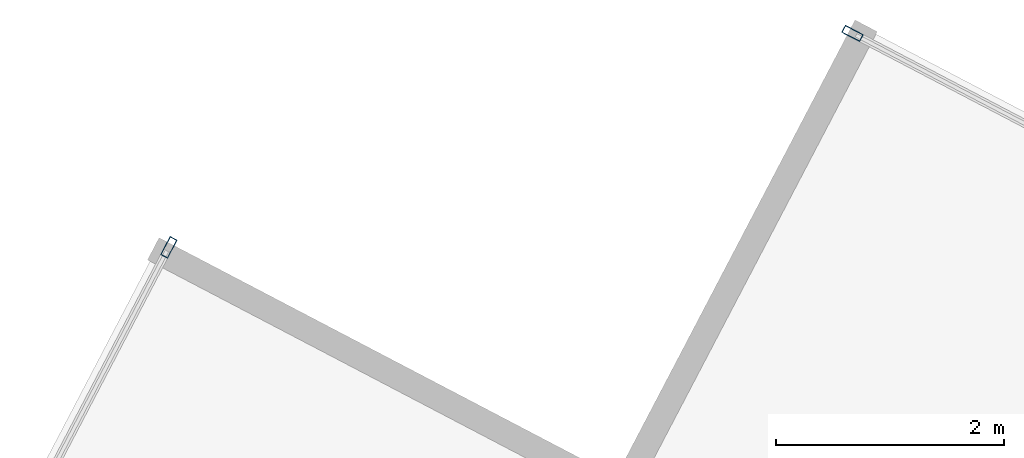
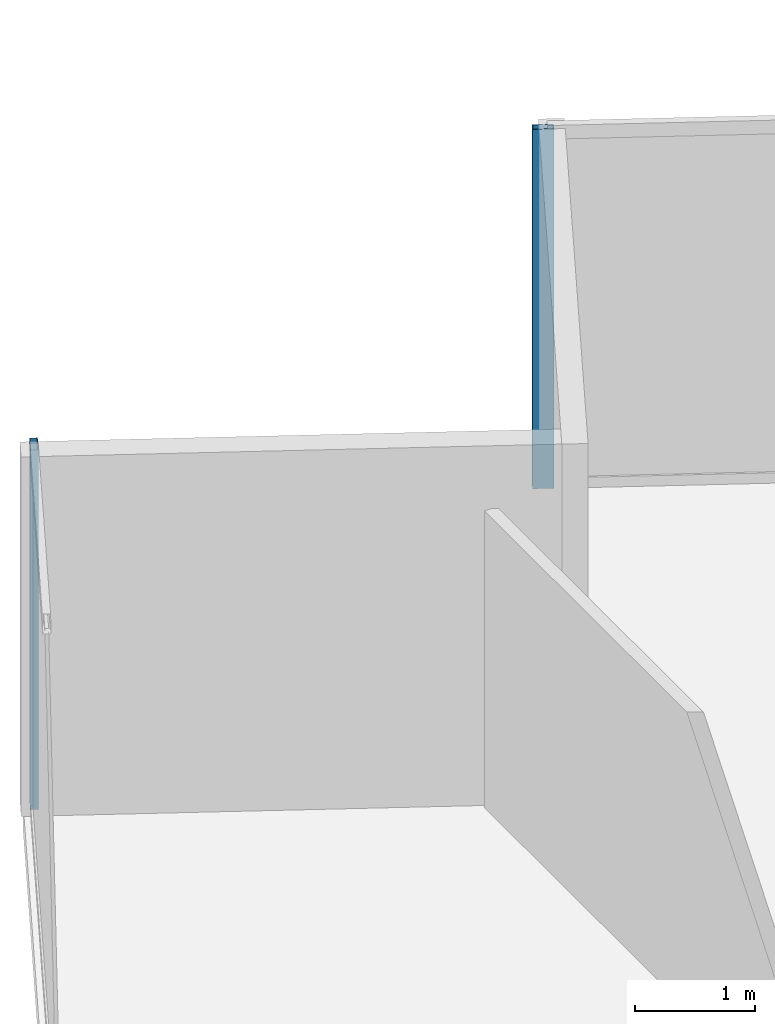
# One storey, part 16 of 27: 2 members, 2 elements without a shape of their own.
"""IFC4 building model written with IfcOpenShell, lengths in metres."""

from ifc_helpers import new_model, si_unit, direction, frame, origin, origin_2d, place, context, subcontext, project, spatial, hollow_rectangle, extrude, source, transform, mapped, material, material_profile, profile_set, type_object, type_shapes, element, aggregate, save


model = new_model("IFC4")

# Units and contexts
model_context = context("Model", 3, precision=1e-05, world=origin(), true_north=direction((0.0, 1.0)))
body_context = subcontext(model_context, "Body", "Model", "MODEL_VIEW")
ifc_project = project(units=[si_unit("LENGTHUNIT", "METRE"), si_unit("AREAUNIT", "SQUARE_METRE"), si_unit("VOLUMEUNIT", "CUBIC_METRE"), si_unit("PLANEANGLEUNIT", "RADIAN"), si_unit("MASSUNIT", "GRAM", prefix="KILO")], contexts=[model_context])

# Site, building, storey
site_placement = place(None, origin())
site = spatial("IfcSite", under=ifc_project, at=site_placement, CompositionType="ELEMENT")
building_placement = place(site_placement, origin())
building = spatial("IfcBuilding", under=site, at=building_placement, Name="Krantzveldt Concourse Tower", CompositionType="ELEMENT")
storey_placement = place(building_placement, frame((0.0, 0.0, 154.10009765625)))
storey = spatial("IfcBuildingStorey", under=building, at=storey_placement, Name="L37", CompositionType="ELEMENT", Elevation=154.10009765625)

# Curtain wall, member
ifc_material = material(Name="Anodised aluminium 6063-T6", Category="aluminium")
curtain_wall_type = type_object("IfcCurtainWallType", Name="CW3", PredefinedType="USERDEFINED", material=ifc_material)
curtain_wall_1_placement = place(storey_placement, origin())
curtain_wall_1 = element("IfcCurtainWall", 1, at=curtain_wall_1_placement, inside=storey, type_object=curtain_wall_type, Name="CW-L37-F01", ObjectType="UNITISED CURTAIN WALL", PredefinedType="USERDEFINED")
ifc_material_profile = material_profile(ifc_material, hollow_rectangle(XDim=0.070068359375, YDim=0.179931640625, WallThickness=0.0048828125, at=origin_2d()), Name="Anodised aluminium 6063-T6", Category="aluminium")
ifc_profile_set = profile_set([ifc_material_profile], Name="Anodised aluminium 6063-T6 - ALU-MULL 180x70x5")
member_type = type_object("IfcMemberType", Name="CW-MUL-180", PredefinedType="MULLION", material=ifc_profile_set)
shared_shape = source(origin(), body_context, "Body", "SweptSolid", [
    extrude(hollow_rectangle(XDim=0.070068359375, YDim=0.179931640625, WallThickness=0.0048828125, at=origin_2d()), origin(), (0.0, 0.0, 1.0), 3.669921875),
])
type_shapes(member_type, [shared_shape])
member_1_placement = place(storey_placement, frame((24.728271484375, 52.1982421875, 0.0), z_axis=(0.0, 0.0, 1.0), x_axis=(0.886001265743, -0.463682819502, 0.0)))
member_1 = element("IfcMember", 2, at=member_1_placement, type_object=member_type, Name="CW-Z34 mullion 1", PredefinedType="MULLION", context=body_context, shape_type="MappedRepresentation", body=[
    mapped(shared_shape, transform((0.0, 0.0, 0.0), x_axis=(1.0, 0.0, 0.0), y_axis=(0.0, 1.0, 0.0), z_axis=(0.0, 0.0, 1.0), scale=1.0)),
])
aggregate(curtain_wall_1, [member_1])

curtain_wall_2_placement = place(storey_placement, origin())
curtain_wall_2 = element("IfcCurtainWall", 3, at=curtain_wall_2_placement, inside=storey, type_object=curtain_wall_type, Name="CW-L37-F10", ObjectType="UNITISED CURTAIN WALL", PredefinedType="USERDEFINED")
member_2_placement = place(storey_placement, frame((30.7275390625, 54.075439453125, 0.0), z_axis=(0.0, 0.0, 1.0), x_axis=(-0.463682819502, -0.886001265743, 0.0)))
member_2 = element("IfcMember", 4, at=member_2_placement, type_object=member_type, Name="CW-Z34 mullion 6", PredefinedType="MULLION", context=body_context, shape_type="MappedRepresentation", body=[
    mapped(shared_shape, transform((0.0, 0.0, 0.0), x_axis=(1.0, 0.0, 0.0), y_axis=(0.0, 1.0, 0.0), z_axis=(0.0, 0.0, 1.0), scale=1.0)),
])
aggregate(curtain_wall_2, [member_2])

save(model, "model.ifc")
